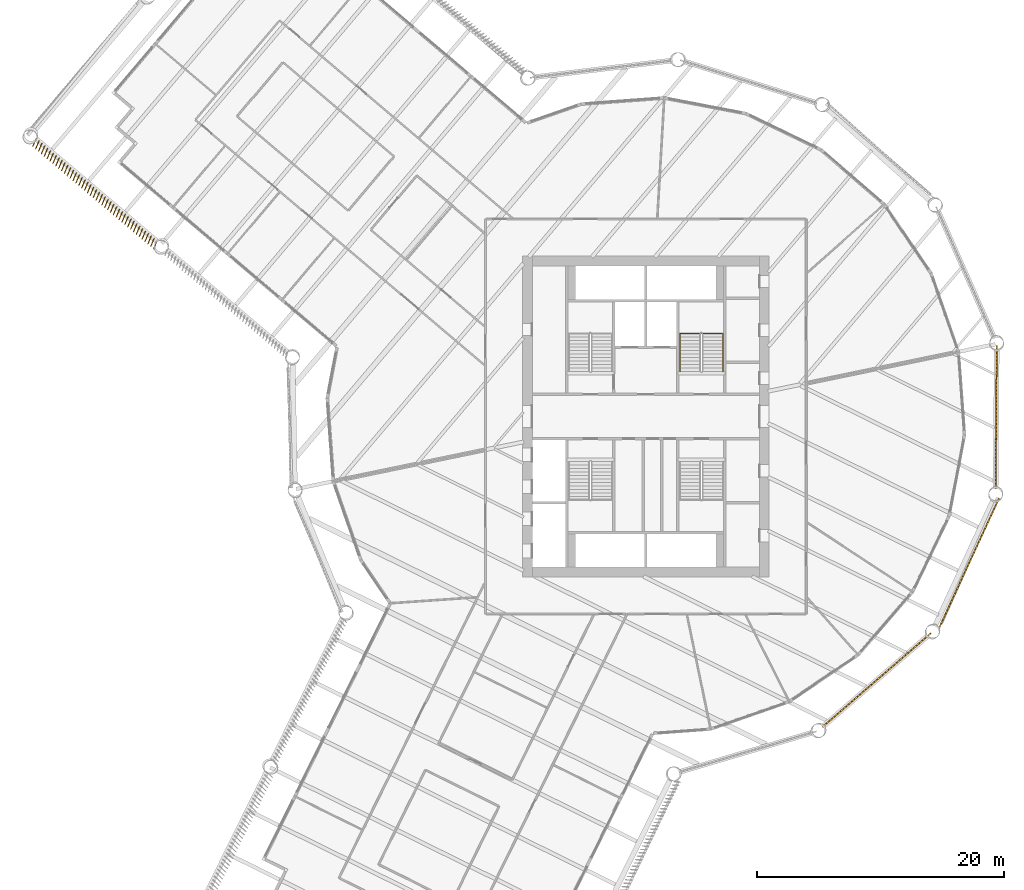
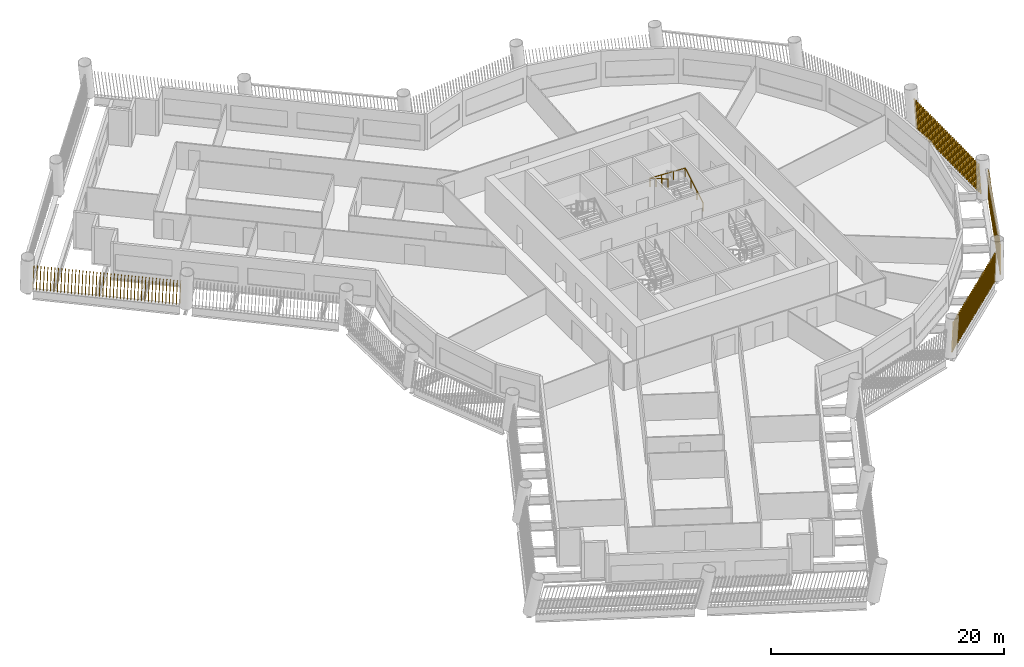
# One storey, part 13 of 16: 4 shading devices, 1 railing.
"""IFC4 building model written with IfcOpenShell, lengths in metres."""

from ifc_helpers import new_model, si_unit, direction, frame, frame_2d, origin, origin_2d, place, context, subcontext, project, spatial, rectangle, circle, composite_profile, extrude, material, type_object, element, save


model = new_model("IFC4")

# Units and contexts
model_context = context("Model", 3, precision=1e-05, world=origin(), true_north=direction((0.0, 1.0)))
body_context = subcontext(model_context, "Body", "Model", "MODEL_VIEW")
ifc_project = project(units=[si_unit("LENGTHUNIT", "METRE"), si_unit("AREAUNIT", "SQUARE_METRE"), si_unit("VOLUMEUNIT", "CUBIC_METRE"), si_unit("PLANEANGLEUNIT", "RADIAN"), si_unit("MASSUNIT", "GRAM", prefix="KILO")], contexts=[model_context])

# Site, building, storey
site_placement = place(None, origin())
site = spatial("IfcSite", under=ifc_project, at=site_placement, CompositionType="ELEMENT")
building_placement = place(site_placement, origin())
building = spatial("IfcBuilding", under=site, at=building_placement, Name="Tarsis Ring Headquarters", CompositionType="ELEMENT")
storey_placement = place(building_placement, frame((0.0, 0.0, 104.5)))
storey = spatial("IfcBuildingStorey", under=building, at=storey_placement, Name="L23", CompositionType="ELEMENT", Elevation=104.5)

# Railing
ifc_material_1 = material(Name="Steel S355", Category="steel")
railing_type = type_object("IfcRailingType", Name="Core stair handrail 900", PredefinedType="HANDRAIL", material=ifc_material_1)
railing_placement = place(storey_placement, frame((6.25, 3.659912109375, 0.16259765625)))
element("IfcRailing", 1, at=railing_placement, inside=storey, type_object=railing_type, Name="L23 ST2 stair handrail 1", PredefinedType="HANDRAIL", context=body_context, shape_type="SweptSolid", body=[
    extrude(circle(Radius=0.02392578125, at=origin_2d()), frame((0.0, 0.0, 0.8759765625), z_axis=(0.0, 0.864920483161, 0.501908913857), x_axis=(-1.0, 0.0, 0.0)), (0.0, 0.0, 1.0), 3.56103515625),
    extrude(circle(Radius=0.02392578125, at=origin_2d()), frame((0.0, 3.080078125, 2.6630859375), z_axis=(-0.998922641604, 0.0, 0.046406422943), x_axis=(0.0, -1.0, 0.0)), (0.0, 0.0, 1.0), 3.503662109375),
    extrude(circle(Radius=0.02392578125, at=origin_2d()), frame((-3.5, 3.080078125, 2.82568359375), z_axis=(0.0, -0.864920483161, 0.501908913857), x_axis=(1.0, 0.0, 0.0)), (0.0, 0.0, 1.0), 3.56103515625),
    extrude(circle(Radius=0.02099609375, at=origin_2d()), origin(), (0.0, 0.0, 1.0), 0.851806640625),
    extrude(circle(Radius=0.02099609375, at=origin_2d()), frame((0.0, 1.026611328125, 0.595703125)), (0.0, 0.0, 1.0), 0.851806640625),
    extrude(circle(Radius=0.02099609375, at=origin_2d()), frame((0.0, 2.053466796875, 1.191650390625)), (0.0, 0.0, 1.0), 0.851806640625),
    extrude(circle(Radius=0.02099609375, at=origin_2d()), frame((0.0, 3.080078125, 1.787353515625)), (0.0, 0.0, 1.0), 0.851806640625),
    extrude(circle(Radius=0.02099609375, at=origin_2d()), frame((-1.166748046875, 3.080078125, 1.841552734375)), (0.0, 0.0, 1.0), 0.851806640625),
    extrude(circle(Radius=0.02099609375, at=origin_2d()), frame((-2.333251953125, 3.080078125, 1.895751953125)), (0.0, 0.0, 1.0), 0.851806640625),
    extrude(circle(Radius=0.02099609375, at=origin_2d()), frame((-3.5, 3.080078125, 1.949951171875)), (0.0, 0.0, 1.0), 0.851806640625),
    extrude(circle(Radius=0.02099609375, at=origin_2d()), frame((-3.5, 2.053466796875, 2.545654296875)), (0.0, 0.0, 1.0), 0.851806640625),
    extrude(circle(Radius=0.02099609375, at=origin_2d()), frame((-3.5, 1.026611328125, 3.1416015625)), (0.0, 0.0, 1.0), 0.851806640625),
    extrude(circle(Radius=0.02099609375, at=origin_2d()), frame((-3.5, 0.0, 3.7373046875)), (0.0, 0.0, 1.0), 0.851806640625),
])

# Shading devices
ifc_material_2 = material(Name="Terracotta baguette", Category="masonry")
shading_device_type = type_object("IfcShadingDeviceType", Name="Terracotta baguette screen", PredefinedType="USERDEFINED", material=ifc_material_2)
shading_device_1_placement = place(storey_placement, frame((14.31591796875, -25.159423828125, 0.0), z_axis=(0.0, 0.0, 1.0), x_axis=(0.756483993489, 0.653998914813, 0.0)))
element("IfcShadingDevice", 2, at=shading_device_1_placement, inside=storey, type_object=shading_device_type, Name="Baguette screen L23-08", ObjectType="Terracotta baguette screen", PredefinedType="USERDEFINED", context=body_context, shape_type="SweptSolid", body=[
    extrude(composite_profile([rectangle(XDim=0.06005859375, YDim=0.1201171875, at=frame_2d((0.030029296875, 0.0))), rectangle(XDim=0.06005859375, YDim=0.1201171875, at=frame_2d((0.33251953125, 0.0))), rectangle(XDim=0.06005859375, YDim=0.1201171875, at=frame_2d((0.634765625, 0.0))), rectangle(XDim=0.06005859375, YDim=0.1201171875, at=frame_2d((0.937255859375, 0.0))), rectangle(XDim=0.06005859375, YDim=0.1201171875, at=frame_2d((1.239501953125, 0.0))), rectangle(XDim=0.06005859375, YDim=0.1201171875, at=frame_2d((1.5419921875, 0.0))), rectangle(XDim=0.06005859375, YDim=0.1201171875, at=frame_2d((1.844482421875, 0.0))), rectangle(XDim=0.06005859375, YDim=0.1201171875, at=frame_2d((2.146728515625, 0.0))), rectangle(XDim=0.06005859375, YDim=0.1201171875, at=frame_2d((2.44921875, 0.0))), rectangle(XDim=0.06005859375, YDim=0.1201171875, at=frame_2d((2.751708984375, 0.0))), rectangle(XDim=0.06005859375, YDim=0.1201171875, at=frame_2d((3.053955078125, 0.0))), rectangle(XDim=0.06005859375, YDim=0.1201171875, at=frame_2d((3.3564453125, 0.0))), rectangle(XDim=0.06005859375, YDim=0.1201171875, at=frame_2d((3.65869140625, 0.0))), rectangle(XDim=0.06005859375, YDim=0.1201171875, at=frame_2d((3.961181640625, 0.0))), rectangle(XDim=0.06005859375, YDim=0.1201171875, at=frame_2d((4.263671875, 0.0))), rectangle(XDim=0.06005859375, YDim=0.1201171875, at=frame_2d((4.56591796875, 0.0))), rectangle(XDim=0.06005859375, YDim=0.1201171875, at=frame_2d((4.868408203125, 0.0))), rectangle(XDim=0.06005859375, YDim=0.1201171875, at=frame_2d((5.1708984375, 0.0))), rectangle(XDim=0.06005859375, YDim=0.1201171875, at=frame_2d((5.47314453125, 0.0))), rectangle(XDim=0.06005859375, YDim=0.1201171875, at=frame_2d((5.775634765625, 0.0))), rectangle(XDim=0.06005859375, YDim=0.1201171875, at=frame_2d((6.077880859375, 0.0))), rectangle(XDim=0.06005859375, YDim=0.1201171875, at=frame_2d((6.38037109375, 0.0))), rectangle(XDim=0.06005859375, YDim=0.1201171875, at=frame_2d((6.682861328125, 0.0))), rectangle(XDim=0.06005859375, YDim=0.1201171875, at=frame_2d((6.985107421875, 0.0))), rectangle(XDim=0.06005859375, YDim=0.1201171875, at=frame_2d((7.28759765625, 0.0))), rectangle(XDim=0.06005859375, YDim=0.1201171875, at=frame_2d((7.590087890625, 0.0))), rectangle(XDim=0.06005859375, YDim=0.1201171875, at=frame_2d((7.892333984375, 0.0))), rectangle(XDim=0.06005859375, YDim=0.1201171875, at=frame_2d((8.19482421875, 0.0))), rectangle(XDim=0.06005859375, YDim=0.1201171875, at=frame_2d((8.4970703125, 0.0))), rectangle(XDim=0.06005859375, YDim=0.1201171875, at=frame_2d((8.799560546875, 0.0))), rectangle(XDim=0.06005859375, YDim=0.1201171875, at=frame_2d((9.10205078125, 0.0))), rectangle(XDim=0.06005859375, YDim=0.1201171875, at=frame_2d((9.404296875, 0.0))), rectangle(XDim=0.06005859375, YDim=0.1201171875, at=frame_2d((9.706787109375, 0.0))), rectangle(XDim=0.06005859375, YDim=0.1201171875, at=frame_2d((10.00927734375, 0.0))), rectangle(XDim=0.06005859375, YDim=0.1201171875, at=frame_2d((10.3115234375, 0.0))), rectangle(XDim=0.06005859375, YDim=0.1201171875, at=frame_2d((10.614013671875, 0.0))), rectangle(XDim=0.06005859375, YDim=0.1201171875, at=frame_2d((10.916259765625, 0.0))), rectangle(XDim=0.06005859375, YDim=0.1201171875, at=frame_2d((11.21875, 0.0)))]), origin(), (0.129809140691, 0.000882635385, 0.991538606383), 2.977783203125),
])
shading_device_2_placement = place(storey_placement, frame((23.75390625, -17.17919921875, 0.0), z_axis=(0.0, 0.0, 1.0), x_axis=(0.419685295714, 0.907672273467, 0.0)))
element("IfcShadingDevice", 3, at=shading_device_2_placement, inside=storey, type_object=shading_device_type, Name="Baguette screen L23-09", ObjectType="Terracotta baguette screen", PredefinedType="USERDEFINED", context=body_context, shape_type="SweptSolid", body=[
    extrude(composite_profile([rectangle(XDim=0.06005859375, YDim=0.1201171875, at=frame_2d((0.030029296875, 0.0))), rectangle(XDim=0.06005859375, YDim=0.1201171875, at=frame_2d((0.33251953125, 0.0))), rectangle(XDim=0.06005859375, YDim=0.1201171875, at=frame_2d((0.634765625, 0.0))), rectangle(XDim=0.06005859375, YDim=0.1201171875, at=frame_2d((0.937255859375, 0.0))), rectangle(XDim=0.06005859375, YDim=0.1201171875, at=frame_2d((1.239501953125, 0.0))), rectangle(XDim=0.06005859375, YDim=0.1201171875, at=frame_2d((1.5419921875, 0.0))), rectangle(XDim=0.06005859375, YDim=0.1201171875, at=frame_2d((1.844482421875, 0.0))), rectangle(XDim=0.06005859375, YDim=0.1201171875, at=frame_2d((2.146728515625, 0.0))), rectangle(XDim=0.06005859375, YDim=0.1201171875, at=frame_2d((2.44921875, 0.0))), rectangle(XDim=0.06005859375, YDim=0.1201171875, at=frame_2d((2.751708984375, 0.0))), rectangle(XDim=0.06005859375, YDim=0.1201171875, at=frame_2d((3.053955078125, 0.0))), rectangle(XDim=0.06005859375, YDim=0.1201171875, at=frame_2d((3.3564453125, 0.0))), rectangle(XDim=0.06005859375, YDim=0.1201171875, at=frame_2d((3.65869140625, 0.0))), rectangle(XDim=0.06005859375, YDim=0.1201171875, at=frame_2d((3.961181640625, 0.0))), rectangle(XDim=0.06005859375, YDim=0.1201171875, at=frame_2d((4.263671875, 0.0))), rectangle(XDim=0.06005859375, YDim=0.1201171875, at=frame_2d((4.56591796875, 0.0))), rectangle(XDim=0.06005859375, YDim=0.1201171875, at=frame_2d((4.868408203125, 0.0))), rectangle(XDim=0.06005859375, YDim=0.1201171875, at=frame_2d((5.1708984375, 0.0))), rectangle(XDim=0.06005859375, YDim=0.1201171875, at=frame_2d((5.47314453125, 0.0))), rectangle(XDim=0.06005859375, YDim=0.1201171875, at=frame_2d((5.775634765625, 0.0))), rectangle(XDim=0.06005859375, YDim=0.1201171875, at=frame_2d((6.077880859375, 0.0))), rectangle(XDim=0.06005859375, YDim=0.1201171875, at=frame_2d((6.38037109375, 0.0))), rectangle(XDim=0.06005859375, YDim=0.1201171875, at=frame_2d((6.682861328125, 0.0))), rectangle(XDim=0.06005859375, YDim=0.1201171875, at=frame_2d((6.985107421875, 0.0))), rectangle(XDim=0.06005859375, YDim=0.1201171875, at=frame_2d((7.28759765625, 0.0))), rectangle(XDim=0.06005859375, YDim=0.1201171875, at=frame_2d((7.590087890625, 0.0))), rectangle(XDim=0.06005859375, YDim=0.1201171875, at=frame_2d((7.892333984375, 0.0))), rectangle(XDim=0.06005859375, YDim=0.1201171875, at=frame_2d((8.19482421875, 0.0))), rectangle(XDim=0.06005859375, YDim=0.1201171875, at=frame_2d((8.4970703125, 0.0))), rectangle(XDim=0.06005859375, YDim=0.1201171875, at=frame_2d((8.799560546875, 0.0))), rectangle(XDim=0.06005859375, YDim=0.1201171875, at=frame_2d((9.10205078125, 0.0))), rectangle(XDim=0.06005859375, YDim=0.1201171875, at=frame_2d((9.404296875, 0.0))), rectangle(XDim=0.06005859375, YDim=0.1201171875, at=frame_2d((9.706787109375, 0.0))), rectangle(XDim=0.06005859375, YDim=0.1201171875, at=frame_2d((10.00927734375, 0.0))), rectangle(XDim=0.06005859375, YDim=0.1201171875, at=frame_2d((10.3115234375, 0.0))), rectangle(XDim=0.06005859375, YDim=0.1201171875, at=frame_2d((10.614013671875, 0.0))), rectangle(XDim=0.06005859375, YDim=0.1201171875, at=frame_2d((10.916259765625, 0.0))), rectangle(XDim=0.06005859375, YDim=0.1201171875, at=frame_2d((11.21875, 0.0)))]), origin(), (0.131495060142, 0.000897132362, 0.991316419874), 2.978515625),
])
shading_device_3_placement = place(storey_placement, frame((28.348388671875, -5.857666015625, 0.0), z_axis=(0.0, 0.0, 1.0), x_axis=(0.008225718937, 0.999956592512, 0.0)))
element("IfcShadingDevice", 4, at=shading_device_3_placement, inside=storey, type_object=shading_device_type, Name="Baguette screen L23-10", ObjectType="Terracotta baguette screen", PredefinedType="USERDEFINED", context=body_context, shape_type="SweptSolid", body=[
    extrude(composite_profile([rectangle(XDim=0.06005859375, YDim=0.1201171875, at=frame_2d((0.030029296875, 0.0))), rectangle(XDim=0.06005859375, YDim=0.1201171875, at=frame_2d((0.33251953125, 0.0))), rectangle(XDim=0.06005859375, YDim=0.1201171875, at=frame_2d((0.634765625, 0.0))), rectangle(XDim=0.06005859375, YDim=0.1201171875, at=frame_2d((0.937255859375, 0.0))), rectangle(XDim=0.06005859375, YDim=0.1201171875, at=frame_2d((1.239501953125, 0.0))), rectangle(XDim=0.06005859375, YDim=0.1201171875, at=frame_2d((1.5419921875, 0.0))), rectangle(XDim=0.06005859375, YDim=0.1201171875, at=frame_2d((1.844482421875, 0.0))), rectangle(XDim=0.06005859375, YDim=0.1201171875, at=frame_2d((2.146728515625, 0.0))), rectangle(XDim=0.06005859375, YDim=0.1201171875, at=frame_2d((2.44921875, 0.0))), rectangle(XDim=0.06005859375, YDim=0.1201171875, at=frame_2d((2.751708984375, 0.0))), rectangle(XDim=0.06005859375, YDim=0.1201171875, at=frame_2d((3.053955078125, 0.0))), rectangle(XDim=0.06005859375, YDim=0.1201171875, at=frame_2d((3.3564453125, 0.0))), rectangle(XDim=0.06005859375, YDim=0.1201171875, at=frame_2d((3.65869140625, 0.0))), rectangle(XDim=0.06005859375, YDim=0.1201171875, at=frame_2d((3.961181640625, 0.0))), rectangle(XDim=0.06005859375, YDim=0.1201171875, at=frame_2d((4.263671875, 0.0))), rectangle(XDim=0.06005859375, YDim=0.1201171875, at=frame_2d((4.56591796875, 0.0))), rectangle(XDim=0.06005859375, YDim=0.1201171875, at=frame_2d((4.868408203125, 0.0))), rectangle(XDim=0.06005859375, YDim=0.1201171875, at=frame_2d((5.1708984375, 0.0))), rectangle(XDim=0.06005859375, YDim=0.1201171875, at=frame_2d((5.47314453125, 0.0))), rectangle(XDim=0.06005859375, YDim=0.1201171875, at=frame_2d((5.775634765625, 0.0))), rectangle(XDim=0.06005859375, YDim=0.1201171875, at=frame_2d((6.077880859375, 0.0))), rectangle(XDim=0.06005859375, YDim=0.1201171875, at=frame_2d((6.38037109375, 0.0))), rectangle(XDim=0.06005859375, YDim=0.1201171875, at=frame_2d((6.682861328125, 0.0))), rectangle(XDim=0.06005859375, YDim=0.1201171875, at=frame_2d((6.985107421875, 0.0))), rectangle(XDim=0.06005859375, YDim=0.1201171875, at=frame_2d((7.28759765625, 0.0))), rectangle(XDim=0.06005859375, YDim=0.1201171875, at=frame_2d((7.590087890625, 0.0))), rectangle(XDim=0.06005859375, YDim=0.1201171875, at=frame_2d((7.892333984375, 0.0))), rectangle(XDim=0.06005859375, YDim=0.1201171875, at=frame_2d((8.19482421875, 0.0))), rectangle(XDim=0.06005859375, YDim=0.1201171875, at=frame_2d((8.4970703125, 0.0))), rectangle(XDim=0.06005859375, YDim=0.1201171875, at=frame_2d((8.799560546875, 0.0))), rectangle(XDim=0.06005859375, YDim=0.1201171875, at=frame_2d((9.10205078125, 0.0))), rectangle(XDim=0.06005859375, YDim=0.1201171875, at=frame_2d((9.404296875, 0.0))), rectangle(XDim=0.06005859375, YDim=0.1201171875, at=frame_2d((9.706787109375, 0.0))), rectangle(XDim=0.06005859375, YDim=0.1201171875, at=frame_2d((10.00927734375, 0.0))), rectangle(XDim=0.06005859375, YDim=0.1201171875, at=frame_2d((10.3115234375, 0.0))), rectangle(XDim=0.06005859375, YDim=0.1201171875, at=frame_2d((10.614013671875, 0.0))), rectangle(XDim=0.06005859375, YDim=0.1201171875, at=frame_2d((10.916259765625, 0.0))), rectangle(XDim=0.06005859375, YDim=0.1201171875, at=frame_2d((11.21875, 0.0)))]), origin(), (0.129808724968, 0.000883785547, 0.991538659784), 2.977783203125),
])
shading_device_4_placement = place(storey_placement, frame((-49.4599609375, 22.53955078125, 0.0), z_axis=(0.0, 0.0, 1.0), x_axis=(0.762673377864, -0.646791681647, 0.0)))
element("IfcShadingDevice", 5, at=shading_device_4_placement, inside=storey, type_object=shading_device_type, Name="Baguette screen L23-19", ObjectType="Terracotta baguette screen", PredefinedType="USERDEFINED", context=body_context, shape_type="SweptSolid", body=[
    extrude(composite_profile([rectangle(XDim=0.06005859375, YDim=0.1201171875, at=frame_2d((0.030029296875, 0.0))), rectangle(XDim=0.06005859375, YDim=0.1201171875, at=frame_2d((0.335693359375, 0.0))), rectangle(XDim=0.06005859375, YDim=0.1201171875, at=frame_2d((0.6416015625, 0.0))), rectangle(XDim=0.06005859375, YDim=0.1201171875, at=frame_2d((0.947265625, 0.0))), rectangle(XDim=0.06005859375, YDim=0.1201171875, at=frame_2d((1.253173828125, 0.0))), rectangle(XDim=0.06005859375, YDim=0.1201171875, at=frame_2d((1.558837890625, 0.0))), rectangle(XDim=0.06005859375, YDim=0.1201171875, at=frame_2d((1.864501953125, 0.0))), rectangle(XDim=0.06005859375, YDim=0.1201171875, at=frame_2d((2.17041015625, 0.0))), rectangle(XDim=0.06005859375, YDim=0.1201171875, at=frame_2d((2.47607421875, 0.0))), rectangle(XDim=0.06005859375, YDim=0.1201171875, at=frame_2d((2.781982421875, 0.0))), rectangle(XDim=0.06005859375, YDim=0.1201171875, at=frame_2d((3.087646484375, 0.0))), rectangle(XDim=0.06005859375, YDim=0.1201171875, at=frame_2d((3.393310546875, 0.0))), rectangle(XDim=0.06005859375, YDim=0.1201171875, at=frame_2d((3.69921875, 0.0))), rectangle(XDim=0.06005859375, YDim=0.1201171875, at=frame_2d((4.0048828125, 0.0))), rectangle(XDim=0.06005859375, YDim=0.1201171875, at=frame_2d((4.310791015625, 0.0))), rectangle(XDim=0.06005859375, YDim=0.1201171875, at=frame_2d((4.616455078125, 0.0))), rectangle(XDim=0.06005859375, YDim=0.1201171875, at=frame_2d((4.922119140625, 0.0))), rectangle(XDim=0.06005859375, YDim=0.1201171875, at=frame_2d((5.22802734375, 0.0))), rectangle(XDim=0.06005859375, YDim=0.1201171875, at=frame_2d((5.53369140625, 0.0))), rectangle(XDim=0.06005859375, YDim=0.1201171875, at=frame_2d((5.839599609375, 0.0))), rectangle(XDim=0.06005859375, YDim=0.1201171875, at=frame_2d((6.145263671875, 0.0))), rectangle(XDim=0.06005859375, YDim=0.1201171875, at=frame_2d((6.451171875, 0.0))), rectangle(XDim=0.06005859375, YDim=0.1201171875, at=frame_2d((6.7568359375, 0.0))), rectangle(XDim=0.06005859375, YDim=0.1201171875, at=frame_2d((7.0625, 0.0))), rectangle(XDim=0.06005859375, YDim=0.1201171875, at=frame_2d((7.368408203125, 0.0))), rectangle(XDim=0.06005859375, YDim=0.1201171875, at=frame_2d((7.674072265625, 0.0))), rectangle(XDim=0.06005859375, YDim=0.1201171875, at=frame_2d((7.97998046875, 0.0))), rectangle(XDim=0.06005859375, YDim=0.1201171875, at=frame_2d((8.28564453125, 0.0))), rectangle(XDim=0.06005859375, YDim=0.1201171875, at=frame_2d((8.59130859375, 0.0))), rectangle(XDim=0.06005859375, YDim=0.1201171875, at=frame_2d((8.897216796875, 0.0))), rectangle(XDim=0.06005859375, YDim=0.1201171875, at=frame_2d((9.202880859375, 0.0))), rectangle(XDim=0.06005859375, YDim=0.1201171875, at=frame_2d((9.5087890625, 0.0))), rectangle(XDim=0.06005859375, YDim=0.1201171875, at=frame_2d((9.814453125, 0.0))), rectangle(XDim=0.06005859375, YDim=0.1201171875, at=frame_2d((10.1201171875, 0.0))), rectangle(XDim=0.06005859375, YDim=0.1201171875, at=frame_2d((10.426025390625, 0.0))), rectangle(XDim=0.06005859375, YDim=0.1201171875, at=frame_2d((10.731689453125, 0.0))), rectangle(XDim=0.06005859375, YDim=0.1201171875, at=frame_2d((11.03759765625, 0.0))), rectangle(XDim=0.06005859375, YDim=0.1201171875, at=frame_2d((11.34326171875, 0.0))), rectangle(XDim=0.06005859375, YDim=0.1201171875, at=frame_2d((11.64892578125, 0.0))), rectangle(XDim=0.06005859375, YDim=0.1201171875, at=frame_2d((11.954833984375, 0.0))), rectangle(XDim=0.06005859375, YDim=0.1201171875, at=frame_2d((12.260498046875, 0.0))), rectangle(XDim=0.06005859375, YDim=0.1201171875, at=frame_2d((12.56640625, 0.0))), rectangle(XDim=0.06005859375, YDim=0.1201171875, at=frame_2d((12.8720703125, 0.0)))]), origin(), (0.068016359152, -0.205904409089, 0.976205485134), 3.024658203125),
])

save(model, "model.ifc")
